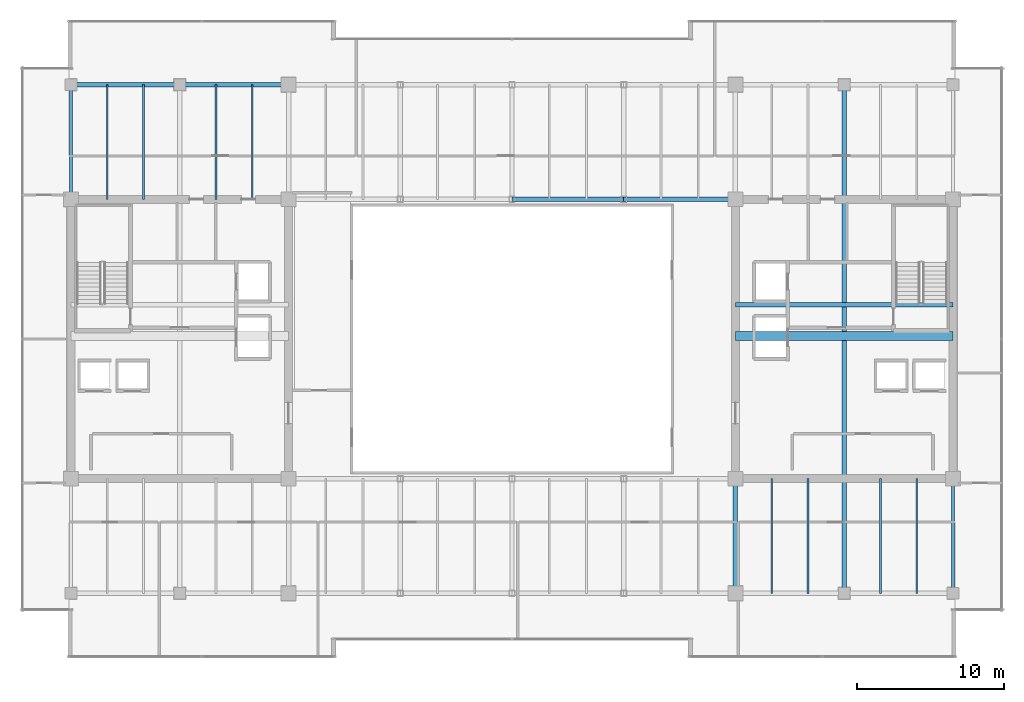
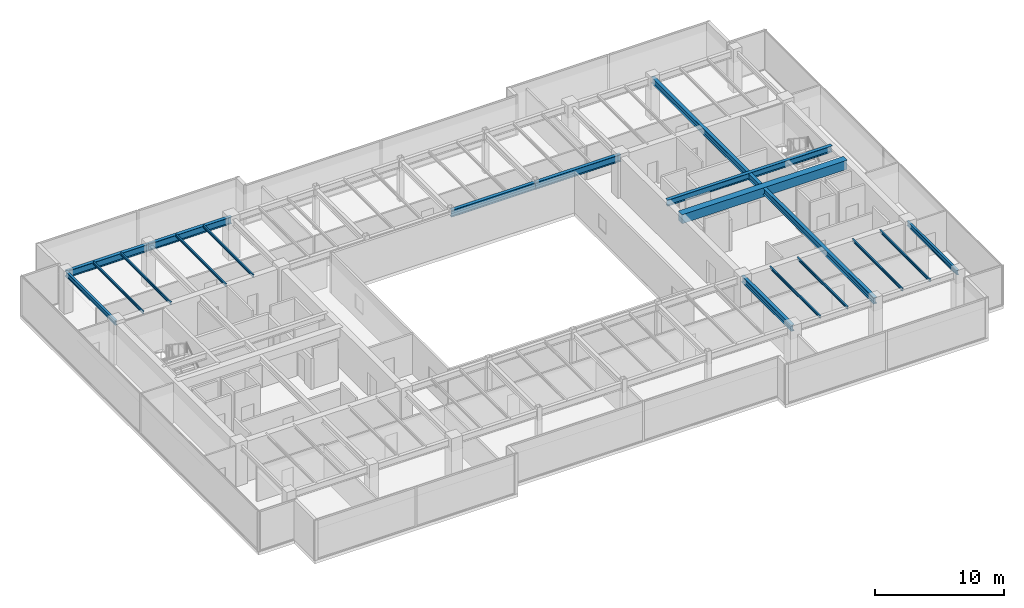
# One storey, part 14 of 36: 18 beams.
"""IFC4 building model written with IfcOpenShell, lengths in metres."""

from ifc_helpers import new_model, si_unit, direction, frame, origin, origin_2d, place, context, subcontext, project, spatial, rectangle, i_section, extrude, source, transform, mapped, material, material_profile, profile_set, type_object, type_shapes, element, save


model = new_model("IFC4")

# Units and contexts
model_context = context("Model", 3, precision=1e-05, world=origin(), true_north=direction((0.0, 1.0)))
body_context = subcontext(model_context, "Body", "Model", "MODEL_VIEW")
ifc_project = project(units=[si_unit("LENGTHUNIT", "METRE"), si_unit("AREAUNIT", "SQUARE_METRE"), si_unit("VOLUMEUNIT", "CUBIC_METRE"), si_unit("PLANEANGLEUNIT", "RADIAN"), si_unit("MASSUNIT", "GRAM", prefix="KILO")], contexts=[model_context])

# Site, building, storey
site_placement = place(None, origin())
site = spatial("IfcSite", under=ifc_project, at=site_placement, CompositionType="ELEMENT")
building_placement = place(site_placement, origin())
building = spatial("IfcBuilding", under=site, at=building_placement, Name="Haelvirn Gate Laboratories", CompositionType="ELEMENT")
storey_placement = place(building_placement, frame((0.0, 0.0, 262.89990234375)))
storey = spatial("IfcBuildingStorey", under=building, at=storey_placement, Name="L63", CompositionType="ELEMENT", Elevation=262.89990234375)

# Beams
ifc_material_1 = material(Name="Steel SM355", Category="steel")
ifc_material_profile_1 = material_profile(ifc_material_1, i_section(OverallWidth=0.300048828125, OverallDepth=0.587890625, WebThickness=0.011962890625, FlangeThickness=0.02001953125, at=origin_2d()), Name="H-588x300x12x20")
ifc_profile_set_1 = profile_set([ifc_material_profile_1], Name="Steel SM355")
beam_type_1 = type_object("IfcBeamType", Name="BM-G-588", PredefinedType="BEAM", material=ifc_profile_set_1)
shared_shape_1 = source(origin(), body_context, "Body", "SweptSolid", [
    extrude(i_section(OverallWidth=0.300048828125, OverallDepth=0.587890625, WebThickness=0.011962890625, FlangeThickness=0.02001953125, at=origin_2d()), origin(), (0.0, 0.0, 1.0), 14.7998046875),
])
beam_1_placement = place(storey_placement, frame((52.60009765625, 26.6201171875, 3.506103515625), z_axis=(1.0, 0.0, 0.0), x_axis=(0.0, 1.0, 0.0)))
element("IfcBeam", 1, at=beam_1_placement, inside=storey, type_object=beam_type_1, Name="L63 Stair ST2 Landing Header", PredefinedType="BEAM", context=body_context, shape_type="MappedRepresentation", body=[
    mapped(shared_shape_1, transform((0.0, 0.0, 0.0), scale=1.0)),
])
shared_shape_2 = source(origin(), body_context, "Body", "SweptSolid", [
    extrude(i_section(OverallWidth=0.300048828125, OverallDepth=0.587890625, WebThickness=0.011962890625, FlangeThickness=0.02001953125, at=origin_2d()), origin(), (0.0, 0.0, 1.0), 34.60009765625),
])
beam_2_placement = place(storey_placement, frame((60.0, 7.0, 3.506103515625), z_axis=(0.0, 1.0, 0.0), x_axis=(-1.0, 0.0, 0.0)))
element("IfcBeam", 2, at=beam_2_placement, inside=storey, type_object=beam_type_1, Name="L63 Frame Girder X60.0 (7.0-41.6)", PredefinedType="BEAM", context=body_context, shape_type="MappedRepresentation", body=[
    mapped(shared_shape_2, transform((0.0, 0.0, 0.0), scale=1.0)),
])
shared_shape_3 = source(origin(), body_context, "Body", "SweptSolid", [
    extrude(i_section(OverallWidth=0.300048828125, OverallDepth=0.587890625, WebThickness=0.011962890625, FlangeThickness=0.02001953125, at=origin_2d()), origin(), (0.0, 0.0, 1.0), 7.800048828125),
])
type_shapes(beam_type_1, [shared_shape_1, shared_shape_2, shared_shape_3])
beam_3_placement = place(storey_placement, frame((52.60009765625, 7.0, 3.506103515625), z_axis=(0.0, 1.0, 0.0), x_axis=(-1.0, 0.0, 0.0)))
element("IfcBeam", 3, at=beam_3_placement, inside=storey, type_object=beam_type_1, Name="L63 Frame Girder X52.6 (7.0-14.8)", PredefinedType="BEAM", context=body_context, shape_type="MappedRepresentation", body=[
    mapped(shared_shape_3, transform((0.0, 0.0, 0.0), scale=1.0)),
])
ifc_material_2 = material(Name="Concrete C50/60", Category="concrete")
ifc_material_profile_2 = material_profile(ifc_material_2, rectangle(XDim=0.60009765625, YDim=0.85009765625, at=origin_2d()), Name="RCB-600x850")
ifc_profile_set_2 = profile_set([ifc_material_profile_2], Name="Concrete C50/60")
beam_type_2 = type_object("IfcBeamType", Name="BM-RCB-850", PredefinedType="LINTEL", material=ifc_profile_set_2)
shared_shape_4 = source(origin(), body_context, "Body", "SweptSolid", [
    extrude(rectangle(XDim=0.60009765625, YDim=0.85009765625, at=origin_2d()), origin(), (0.0, 0.0, 1.0), 14.7998046875),
])
type_shapes(beam_type_2, [shared_shape_4])
beam_4_placement = place(storey_placement, frame((52.60009765625, 24.5, 3.375), z_axis=(1.0, 0.0, 0.0), x_axis=(0.0, 1.0, 0.0)))
element("IfcBeam", 4, at=beam_4_placement, inside=storey, type_object=beam_type_2, Name="L63 East Core Coupling Beam", PredefinedType="LINTEL", context=body_context, shape_type="MappedRepresentation", body=[
    mapped(shared_shape_4, transform((0.0, 0.0, 0.0), scale=1.0)),
])
ifc_material_profile_3 = material_profile(ifc_material_1, i_section(OverallWidth=0.300048828125, OverallDepth=0.64990234375, WebThickness=0.012939453125, FlangeThickness=0.02197265625, at=origin_2d()), Name="H-650x300x13x22")
ifc_profile_set_3 = profile_set([ifc_material_profile_3], Name="Steel SM355")
beam_type_3 = type_object("IfcBeamType", Name="BM-G-650", PredefinedType="BEAM", material=ifc_profile_set_3)
shared_shape_5 = source(origin(), body_context, "Body", "SweptSolid", [
    extrude(i_section(OverallWidth=0.300048828125, OverallDepth=0.64990234375, WebThickness=0.012939453125, FlangeThickness=0.02197265625, at=origin_2d()), origin(), (0.0, 0.0, 1.0), 7.400146484375),
])
beam_5_placement = place(storey_placement, frame((7.39990234375, 41.60009765625, 3.47509765625), z_axis=(1.0, 0.0, 0.0), x_axis=(0.0, 1.0, 0.0)))
element("IfcBeam", 5, at=beam_5_placement, inside=storey, type_object=beam_type_3, Name="L63 Primary Girder Y41.6 (7.4-14.8)", PredefinedType="BEAM", context=body_context, shape_type="MappedRepresentation", body=[
    mapped(shared_shape_5, transform((0.0, 0.0, 0.0), scale=1.0)),
])
shared_shape_6 = source(origin(), body_context, "Body", "SweptSolid", [
    extrude(i_section(OverallWidth=0.300048828125, OverallDepth=0.64990234375, WebThickness=0.012939453125, FlangeThickness=0.02197265625, at=origin_2d()), origin(), (0.0, 0.0, 1.0), 7.39990234375),
])
beam_6_placement = place(storey_placement, frame((14.800048828125, 41.60009765625, 3.47509765625), z_axis=(1.0, 0.0, 0.0), x_axis=(0.0, 1.0, 0.0)))
element("IfcBeam", 6, at=beam_6_placement, inside=storey, type_object=beam_type_3, Name="L63 Primary Girder Y41.6 (14.8-22.2)", PredefinedType="BEAM", context=body_context, shape_type="MappedRepresentation", body=[
    mapped(shared_shape_6, transform((0.0, 0.0, 0.0), scale=1.0)),
])
shared_shape_7 = source(origin(), body_context, "Body", "SweptSolid", [
    extrude(i_section(OverallWidth=0.300048828125, OverallDepth=0.64990234375, WebThickness=0.012939453125, FlangeThickness=0.02197265625, at=origin_2d()), origin(), (0.0, 0.0, 1.0), 7.60009765625),
])
type_shapes(beam_type_3, [shared_shape_5, shared_shape_6, shared_shape_7])
for number, where, z_axis, x_axis, name in (
    (7, (37.39990234375, 33.800048828125, 3.47509765625), (1.0, 0.0, 0.0), (0.0, 1.0, 0.0), "L63 Primary Girder Y33.8 (37.4-45.0)"),
    (8, (45.0, 33.800048828125, 3.47509765625), (1.0, 0.0, 0.0), (0.0, 1.0, 0.0), "L63 Primary Girder Y33.8 (45.0-52.6)"),
):
    element("IfcBeam", number, at=place(storey_placement, frame(where, z_axis=z_axis, x_axis=x_axis)), inside=storey, type_object=beam_type_3, Name=name, PredefinedType="BEAM", context=body_context, shape_type="MappedRepresentation", body=[
        mapped(shared_shape_7, transform((0.0, 0.0, 0.0), scale=1.0)),
    ])
ifc_material_profile_4 = material_profile(ifc_material_1, i_section(OverallWidth=0.199951171875, OverallDepth=0.449951171875, WebThickness=0.009033203125, FlangeThickness=0.013916015625, at=origin_2d()), Name="H-450x200x9x14")
ifc_profile_set_4 = profile_set([ifc_material_profile_4], Name="Steel SM355")
beam_type_4 = type_object("IfcBeamType", Name="BM-SP-450", PredefinedType="SPANDREL", material=ifc_profile_set_4)
shared_shape_8 = source(origin(), body_context, "Body", "SweptSolid", [
    extrude(i_section(OverallWidth=0.199951171875, OverallDepth=0.449951171875, WebThickness=0.009033203125, FlangeThickness=0.013916015625, at=origin_2d()), origin(), (0.0, 0.0, 1.0), 7.800048828125),
])
type_shapes(beam_type_4, [shared_shape_8])
for number, where, z_axis, x_axis, name in (
    (9, (7.39990234375, 33.800048828125, 3.5751953125), (0.0, 1.0, 0.0), (-1.0, 0.0, 0.0), "L63 Perimeter Spandrel X7.4 (33.8-41.6)"),
    (10, (67.39990234375, 7.0, 3.5751953125), (0.0, 1.0, 0.0), (-1.0, 0.0, 0.0), "L63 Perimeter Spandrel X67.4 (7.0-14.8)"),
):
    element("IfcBeam", number, at=place(storey_placement, frame(where, z_axis=z_axis, x_axis=x_axis)), inside=storey, type_object=beam_type_4, Name=name, PredefinedType="SPANDREL", context=body_context, shape_type="MappedRepresentation", body=[
        mapped(shared_shape_8, transform((0.0, 0.0, 0.0), scale=1.0)),
    ])
ifc_material_profile_5 = material_profile(ifc_material_1, i_section(OverallWidth=0.125, OverallDepth=0.25, WebThickness=0.006103515625, FlangeThickness=0.009033203125, at=origin_2d()), Name="H-250x125x6x9")
ifc_profile_set_5 = profile_set([ifc_material_profile_5], Name="Steel SM355")
beam_type_5 = type_object("IfcBeamType", Name="BM-J-250", PredefinedType="JOIST", material=ifc_profile_set_5)
shared_shape_9 = source(origin(), body_context, "Body", "SweptSolid", [
    extrude(i_section(OverallWidth=0.125, OverallDepth=0.25, WebThickness=0.006103515625, FlangeThickness=0.009033203125, at=origin_2d()), origin(), (0.0, 0.0, 1.0), 7.800048828125),
])
type_shapes(beam_type_5, [shared_shape_9])
for number, where, z_axis, x_axis, name in (
    (11, (9.8701171875, 33.800048828125, 3.675048828125), (0.0, 1.0, 0.0), (-1.0, 0.0, 0.0), "L63 Composite Lab Joist North X9.87"),
    (12, (12.330078125, 33.800048828125, 3.675048828125), (0.0, 1.0, 0.0), (-1.0, 0.0, 0.0), "L63 Composite Lab Joist North X12.33"),
    (13, (17.27001953125, 33.800048828125, 3.675048828125), (0.0, 1.0, 0.0), (-1.0, 0.0, 0.0), "L63 Composite Lab Joist North X17.27"),
    (14, (19.72998046875, 33.800048828125, 3.675048828125), (0.0, 1.0, 0.0), (-1.0, 0.0, 0.0), "L63 Composite Lab Joist North X19.73"),
    (15, (55.070068359375, 7.0, 3.675048828125), (0.0, 1.0, 0.0), (-1.0, 0.0, 0.0), "L63 Composite Lab Joist South X55.07"),
    (16, (57.530029296875, 7.0, 3.675048828125), (0.0, 1.0, 0.0), (-1.0, 0.0, 0.0), "L63 Composite Lab Joist South X57.53"),
    (17, (62.469970703125, 7.0, 3.675048828125), (0.0, 1.0, 0.0), (-1.0, 0.0, 0.0), "L63 Composite Lab Joist South X62.47"),
    (18, (64.929931640625, 7.0, 3.675048828125), (0.0, 1.0, 0.0), (-1.0, 0.0, 0.0), "L63 Composite Lab Joist South X64.93"),
):
    element("IfcBeam", number, at=place(storey_placement, frame(where, z_axis=z_axis, x_axis=x_axis)), inside=storey, type_object=beam_type_5, Name=name, PredefinedType="JOIST", context=body_context, shape_type="MappedRepresentation", body=[
        mapped(shared_shape_9, transform((0.0, 0.0, 0.0), scale=1.0)),
    ])

save(model, "model.ifc")
